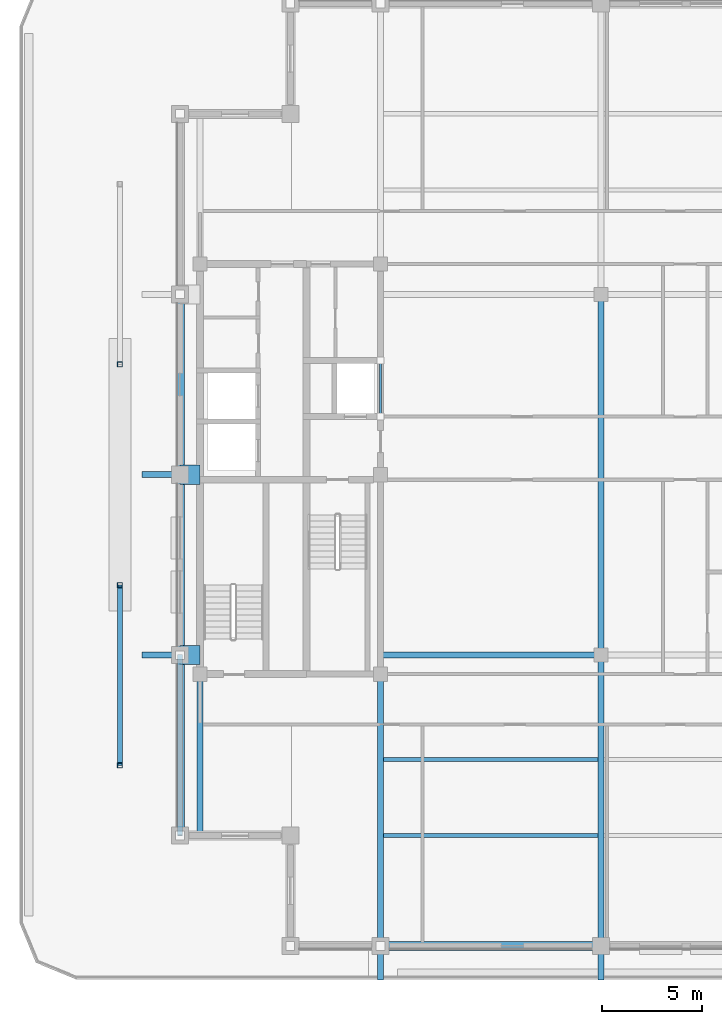
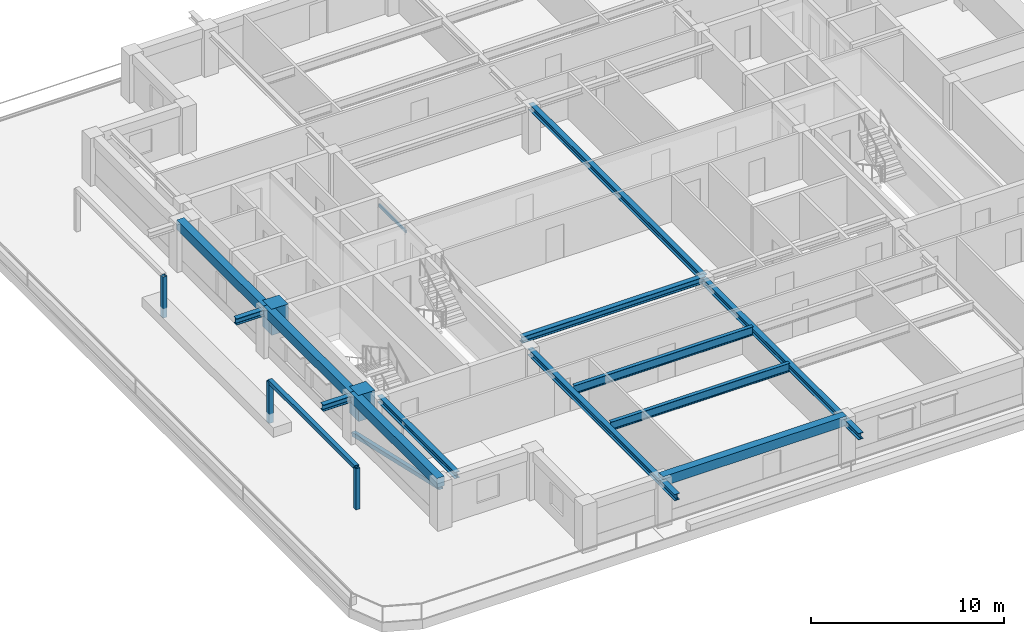
# One storey, part 2 of 14: 18 beams, 5 members.
"""IFC4 building model written with IfcOpenShell, lengths in metres."""

from ifc_helpers import new_model, si_unit, direction, frame, origin, origin_2d, place, context, subcontext, project, spatial, rectangle, hollow_rectangle, i_section, extrude, material, material_profile, profile_set, type_object, element, save


model = new_model("IFC4")

# Units and contexts
model_context = context("Model", 3, precision=1e-05, world=origin(), true_north=direction((0.0, 1.0)))
body_context = subcontext(model_context, "Body", "Model", "MODEL_VIEW")
ifc_project = project(units=[si_unit("LENGTHUNIT", "METRE"), si_unit("AREAUNIT", "SQUARE_METRE"), si_unit("VOLUMEUNIT", "CUBIC_METRE"), si_unit("PLANEANGLEUNIT", "RADIAN"), si_unit("MASSUNIT", "GRAM", prefix="KILO")], contexts=[model_context])

# Site, building, storey
site_placement = place(None, origin())
site = spatial("IfcSite", under=ifc_project, at=site_placement, CompositionType="ELEMENT")
building_placement = place(site_placement, origin())
building = spatial("IfcBuilding", under=site, at=building_placement, Name="Zulmaris Gate Convention Tower", CompositionType="ELEMENT")
storey_placement = place(building_placement, frame((0.0, 0.0, 226.820068359375)))
storey = spatial("IfcBuildingStorey", under=building, at=storey_placement, Name="L59", CompositionType="ELEMENT", Elevation=226.820068359375)

# Beams
ifc_material_1 = material(Name="Steel S355", Category="steel")
ifc_material_profile_1 = material_profile(ifc_material_1, i_section(OverallWidth=0.300048828125, OverallDepth=0.39990234375, WebThickness=0.013427734375, FlangeThickness=0.02392578125, FilletRadius=0.027099609375, at=origin_2d()), Name="HEB 400")
ifc_profile_set_1 = profile_set([ifc_material_profile_1], Name="Steel S355")
beam_type_1 = type_object("IfcBeamType", Name="BM-HEB400", PredefinedType="BEAM", material=ifc_profile_set_1)
for number, where, z_axis, x_axis, name in (
    (1, (-11.0, -25.199951171875, 2.60302734375), (0.0, 1.0, 0.0), (-1.0, 0.0, 0.0), "L59 Beam TBRK-L59-S--11"),
    (2, (0.0, -25.199951171875, 2.60302734375), (0.0, 1.0, 0.0), (-1.0, 0.0, 0.0), "L59 Beam TBRK-L59-S-+0"),
):
    element("IfcBeam", number, at=place(storey_placement, frame(where, z_axis=z_axis, x_axis=x_axis)), inside=storey, type_object=beam_type_1, Name=name, PredefinedType="BEAM", context=body_context, shape_type="SweptSolid", body=[
        extrude(i_section(OverallWidth=0.300048828125, OverallDepth=0.39990234375, WebThickness=0.013427734375, FlangeThickness=0.02392578125, FilletRadius=0.027099609375, at=origin_2d()), origin(), (0.0, 0.0, 1.0), 1.699951171875),
    ])
for number, where, z_axis, x_axis, name in (
    (3, (-22.89990234375, -9.0, 2.639892578125), (1.0, 0.0, 0.0), (0.0, 1.0, 0.0), "L59 Beam TBRK-L59-W--9"),
    (4, (-22.89990234375, 0.0, 2.639892578125), (1.0, 0.0, 0.0), (0.0, 1.0, 0.0), "L59 Beam TBRK-L59-W-+0"),
):
    element("IfcBeam", number, at=place(storey_placement, frame(where, z_axis=z_axis, x_axis=x_axis)), inside=storey, type_object=beam_type_1, Name=name, PredefinedType="BEAM", context=body_context, shape_type="SweptSolid", body=[
        extrude(i_section(OverallWidth=0.300048828125, OverallDepth=0.39990234375, WebThickness=0.013427734375, FlangeThickness=0.02392578125, FilletRadius=0.027099609375, at=origin_2d()), origin(), (0.0, 0.0, 1.0), 1.89990234375),
    ])
beam_1_placement = place(storey_placement, frame((-11.0, -9.0, 2.77783203125), z_axis=(1.0, 0.0, 0.0), x_axis=(0.0, 1.0, 0.0)))
element("IfcBeam", 5, at=beam_1_placement, inside=storey, type_object=beam_type_1, Name="L59 Beam BM-L59-G01", PredefinedType="BEAM", context=body_context, shape_type="SweptSolid", body=[
    extrude(i_section(OverallWidth=0.300048828125, OverallDepth=0.39990234375, WebThickness=0.013427734375, FlangeThickness=0.02392578125, FilletRadius=0.027099609375, at=origin_2d()), origin(), (0.0, 0.0, 1.0), 11.0),
])
beam_2_placement = place(storey_placement, frame((0.0, -23.5, 2.60302734375), z_axis=(0.0, 1.0, 0.0), x_axis=(-1.0, 0.0, 0.0)))
element("IfcBeam", 6, at=beam_2_placement, inside=storey, type_object=beam_type_1, Name="L59 Beam BM-L59-G05", PredefinedType="BEAM", context=body_context, shape_type="SweptSolid", body=[
    extrude(i_section(OverallWidth=0.300048828125, OverallDepth=0.39990234375, WebThickness=0.013427734375, FlangeThickness=0.02392578125, FilletRadius=0.027099609375, at=origin_2d()), origin(), (0.0, 0.0, 1.0), 14.5),
])
beam_3_placement = place(storey_placement, frame((0.0, -9.0, 2.77783203125), z_axis=(0.0, 1.0, 0.0), x_axis=(-1.0, 0.0, 0.0)))
element("IfcBeam", 7, at=beam_3_placement, inside=storey, type_object=beam_type_1, Name="L59 Beam BM-L59-G06", PredefinedType="BEAM", context=body_context, shape_type="SweptSolid", body=[
    extrude(i_section(OverallWidth=0.300048828125, OverallDepth=0.39990234375, WebThickness=0.013427734375, FlangeThickness=0.02392578125, FilletRadius=0.027099609375, at=origin_2d()), origin(), (0.0, 0.0, 1.0), 18.0),
])
beam_4_placement = place(storey_placement, frame((-11.0, -23.5, 2.60302734375), z_axis=(0.0, 1.0, 0.0), x_axis=(-1.0, 0.0, 0.0)))
element("IfcBeam", 8, at=beam_4_placement, inside=storey, type_object=beam_type_1, Name="L59 Beam BM-L59-G08", PredefinedType="BEAM", context=body_context, shape_type="SweptSolid", body=[
    extrude(i_section(OverallWidth=0.300048828125, OverallDepth=0.39990234375, WebThickness=0.013427734375, FlangeThickness=0.02392578125, FilletRadius=0.027099609375, at=origin_2d()), origin(), (0.0, 0.0, 1.0), 13.550048828125),
])
beam_5_placement = place(storey_placement, frame((-20.0, -18.0, 2.77783203125), z_axis=(0.0, 1.0, 0.0), x_axis=(-1.0, 0.0, 0.0)))
element("IfcBeam", 9, at=beam_5_placement, inside=storey, type_object=beam_type_1, Name="L59 Beam BM-L59-G12", PredefinedType="BEAM", context=body_context, shape_type="SweptSolid", body=[
    extrude(i_section(OverallWidth=0.300048828125, OverallDepth=0.39990234375, WebThickness=0.013427734375, FlangeThickness=0.02392578125, FilletRadius=0.027099609375, at=origin_2d()), origin(), (0.0, 0.0, 1.0), 8.050048828125),
])
ifc_material_2 = material(Name="Precast concrete C50/60", Category="concrete")
ifc_material_profile_2 = material_profile(ifc_material_2, rectangle(XDim=0.449951171875, YDim=0.60009765625, at=origin_2d()), Name="RC SPANDREL 450x600")
ifc_profile_set_2 = profile_set([ifc_material_profile_2], Name="Precast concrete C50/60")
beam_type_2 = type_object("IfcBeamType", Name="BM-SP450x600", PredefinedType="SPANDREL", material=ifc_profile_set_2)
beam_6_placement = place(storey_placement, frame((-11.0, -23.5, 2.679931640625), z_axis=(1.0, 0.0, 0.0), x_axis=(0.0, 1.0, 0.0)))
element("IfcBeam", 10, at=beam_6_placement, inside=storey, type_object=beam_type_2, Name="L59 Spandrel SP-L59-02", PredefinedType="SPANDREL", context=body_context, shape_type="SweptSolid", body=[
    extrude(rectangle(XDim=0.449951171875, YDim=0.60009765625, at=origin_2d()), origin(), (0.0, 0.0, 1.0), 11.0),
])
for number, where, z_axis, x_axis, name in (
    (11, (-21.0, 9.0, 2.679931640625), (0.0, -1.0, 0.0), (1.0, 0.0, 0.0), "L59 Spandrel SP-L59-20"),
    (12, (-21.0, 0.0, 2.679931640625), (0.0, -1.0, 0.0), (1.0, 0.0, 0.0), "L59 Spandrel SP-L59-21"),
    (13, (-21.0, -9.0, 2.679931640625), (0.0, -1.0, 0.0), (1.0, 0.0, 0.0), "L59 Spandrel SP-L59-22"),
):
    element("IfcBeam", number, at=place(storey_placement, frame(where, z_axis=z_axis, x_axis=x_axis)), inside=storey, type_object=beam_type_2, Name=name, PredefinedType="SPANDREL", context=body_context, shape_type="SweptSolid", body=[
        extrude(rectangle(XDim=0.449951171875, YDim=0.60009765625, at=origin_2d()), origin(), (0.0, 0.0, 1.0), 9.0),
    ])
ifc_material_3 = material(Name="Concrete C80/95", Category="concrete")
ifc_material_profile_3 = material_profile(ifc_material_3, rectangle(XDim=0.949951171875, YDim=1.64990234375, at=origin_2d()), Name="RC TRANSFER 950x1650")
ifc_profile_set_3 = profile_set([ifc_material_profile_3], Name="Concrete C80/95")
beam_type_3 = type_object("IfcBeamType", Name="BM-XFER1650", PredefinedType="BEAM", material=ifc_profile_set_3)
for number, where, z_axis, x_axis, name in (
    (14, (-21.0, -9.0, 2.155029296875), (1.0, 0.0, 0.0), (0.0, 1.0, 0.0), "L59 Beam BM-L59-G16"),
    (15, (-21.0, 0.0, 2.155029296875), (1.0, 0.0, 0.0), (0.0, 1.0, 0.0), "L59 Beam BM-L59-G17"),
):
    element("IfcBeam", number, at=place(storey_placement, frame(where, z_axis=z_axis, x_axis=x_axis)), inside=storey, type_object=beam_type_3, Name=name, PredefinedType="BEAM", context=body_context, shape_type="SweptSolid", body=[
        extrude(rectangle(XDim=0.949951171875, YDim=1.64990234375, at=origin_2d()), origin(), (0.0, 0.0, 1.0), 1.0),
    ])

# Member
ifc_material_profile_4 = material_profile(ifc_material_1, hollow_rectangle(XDim=0.25, YDim=0.25, WallThickness=0.012451171875, at=origin_2d()), Name="SHS 250x250x12.5")
ifc_profile_set_4 = profile_set([ifc_material_profile_4], Name="Steel S355")
member_type_1 = type_object("IfcMemberType", Name="BR-SHS250", PredefinedType="BRACE", material=ifc_profile_set_4)
member_1_placement = place(storey_placement, frame((-21.0, -9.0, 0.300048828125), z_axis=(0.0, -0.974795611755, 0.223099787771), x_axis=(1.0, 0.0, 0.0)))
element("IfcMember", 16, at=member_1_placement, inside=storey, type_object=member_type_1, Name="L59 Perimeter Tube Diagonal SW-W", PredefinedType="BRACE", context=body_context, shape_type="SweptSolid", body=[
    extrude(hollow_rectangle(XDim=0.25, YDim=0.25, WallThickness=0.012451171875, at=origin_2d()), origin(), (0.0, 0.0, 1.0), 9.232666015625),
])

# Beams
ifc_material_profile_5 = material_profile(ifc_material_1, i_section(OverallWidth=0.2099609375, OverallDepth=0.550048828125, WebThickness=0.010986328125, FlangeThickness=0.01708984375, FilletRadius=0.02392578125, at=origin_2d()), Name="IPE 550")
ifc_profile_set_5 = profile_set([ifc_material_profile_5], Name="Steel S355")
beam_type_4 = type_object("IfcBeamType", Name="JT-IPE550", PredefinedType="JOIST", material=ifc_profile_set_5)
for number, where, z_axis, x_axis, name in (
    (17, (-10.85009765625, -18.0, 2.702880859375), (1.0, 0.0, 0.0), (0.0, 1.0, 0.0), "L59 Joist JT-L59-CW--18.0"),
    (18, (-10.85009765625, -14.199951171875, 2.702880859375), (1.0, 0.0, 0.0), (0.0, 1.0, 0.0), "L59 Joist JT-L59-CW--14.2"),
):
    element("IfcBeam", number, at=place(storey_placement, frame(where, z_axis=z_axis, x_axis=x_axis)), inside=storey, type_object=beam_type_4, Name=name, PredefinedType="JOIST", context=body_context, shape_type="SweptSolid", body=[
        extrude(i_section(OverallWidth=0.2099609375, OverallDepth=0.550048828125, WebThickness=0.010986328125, FlangeThickness=0.01708984375, FilletRadius=0.02392578125, at=origin_2d()), origin(), (0.0, 0.0, 1.0), 10.7001953125),
    ])
ifc_material_profile_6 = material_profile(ifc_material_1, hollow_rectangle(XDim=0.080078125, YDim=0.179931640625, WallThickness=0.00634765625, at=origin_2d()), Name="RHS 180x80x6.3")
ifc_profile_set_6 = profile_set([ifc_material_profile_6], Name="Steel S355")
beam_type_5 = type_object("IfcBeamType", Name="LN-RHS180", PredefinedType="LINTEL", material=ifc_profile_set_6)
beam_7_placement = place(storey_placement, frame((-11.0, 2.89990234375, 2.35009765625), z_axis=(0.0, 1.0, 0.0), x_axis=(-1.0, 0.0, 0.0)))
element("IfcBeam", 19, at=beam_7_placement, inside=storey, type_object=beam_type_5, Name="L59 Core Opening Steel Lintel 1", PredefinedType="LINTEL", context=body_context, shape_type="SweptSolid", body=[
    extrude(hollow_rectangle(XDim=0.080078125, YDim=0.179931640625, WallThickness=0.00634765625, at=origin_2d()), origin(), (0.0, 0.0, 1.0), 2.800048828125),
])

# Members
ifc_material_profile_7 = material_profile(ifc_material_1, hollow_rectangle(XDim=0.25, YDim=0.25, WallThickness=0.012451171875, at=origin_2d()), Name="SHS 250x250x12.5")
ifc_profile_set_7 = profile_set([ifc_material_profile_7], Name="Steel S355")
member_type_2 = type_object("IfcMemberType", Name="ST-SHS250", PredefinedType="STRUT", material=ifc_profile_set_7)
for number, where, z_axis, x_axis, name in (
    (20, (-24.0, -14.5, -0.0400390625), (0.0, 0.0, 1.0), (1.0, 0.0, 0.0), "L59 Exposed Terrace Planted Pergola Post 1A"),
    (21, (-24.0, -5.5, -0.0400390625), (0.0, 0.0, 1.0), (1.0, 0.0, 0.0), "L59 Exposed Terrace Planted Pergola Post 1B"),
):
    element("IfcMember", number, at=place(storey_placement, frame(where, z_axis=z_axis, x_axis=x_axis)), inside=storey, type_object=member_type_2, Name=name, PredefinedType="STRUT", context=body_context, shape_type="SweptSolid", body=[
        extrude(hollow_rectangle(XDim=0.25, YDim=0.25, WallThickness=0.012451171875, at=origin_2d()), origin(), (0.0, 0.0, 1.0), 2.60009765625),
    ])
member_2_placement = place(storey_placement, frame((-24.0, -14.5, 2.56005859375), z_axis=(0.0, 1.0, 0.0), x_axis=(-1.0, 0.0, 0.0)))
element("IfcMember", 22, at=member_2_placement, inside=storey, type_object=member_type_2, Name="L59 Exposed Terrace Planted Pergola Beam 1", PredefinedType="STRUT", context=body_context, shape_type="SweptSolid", body=[
    extrude(hollow_rectangle(XDim=0.25, YDim=0.25, WallThickness=0.012451171875, at=origin_2d()), origin(), (0.0, 0.0, 1.0), 9.0),
])
member_3_placement = place(storey_placement, frame((-24.0, 5.5, -0.0400390625), z_axis=(0.0, 0.0, 1.0), x_axis=(1.0, 0.0, 0.0)))
element("IfcMember", 23, at=member_3_placement, inside=storey, type_object=member_type_2, Name="L59 Exposed Terrace Planted Pergola Post 2A", PredefinedType="STRUT", context=body_context, shape_type="SweptSolid", body=[
    extrude(hollow_rectangle(XDim=0.25, YDim=0.25, WallThickness=0.012451171875, at=origin_2d()), origin(), (0.0, 0.0, 1.0), 2.60009765625),
])

save(model, "model.ifc")
